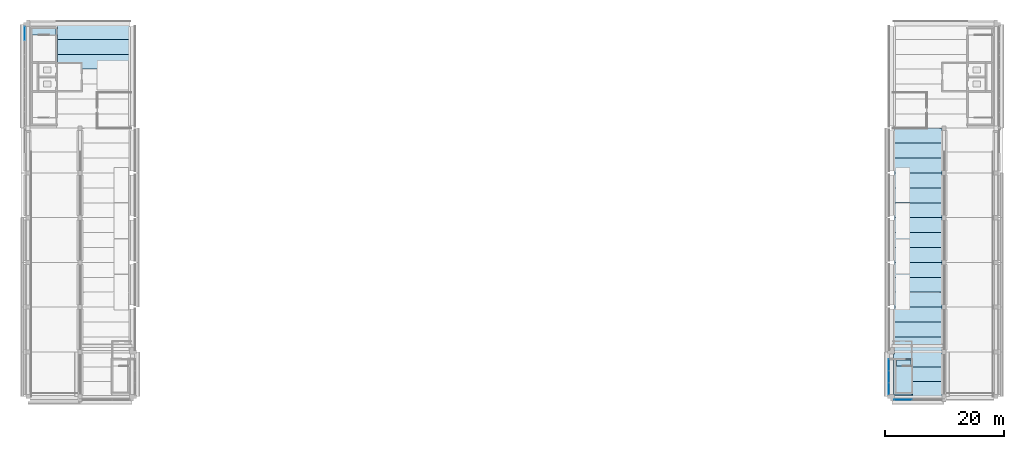
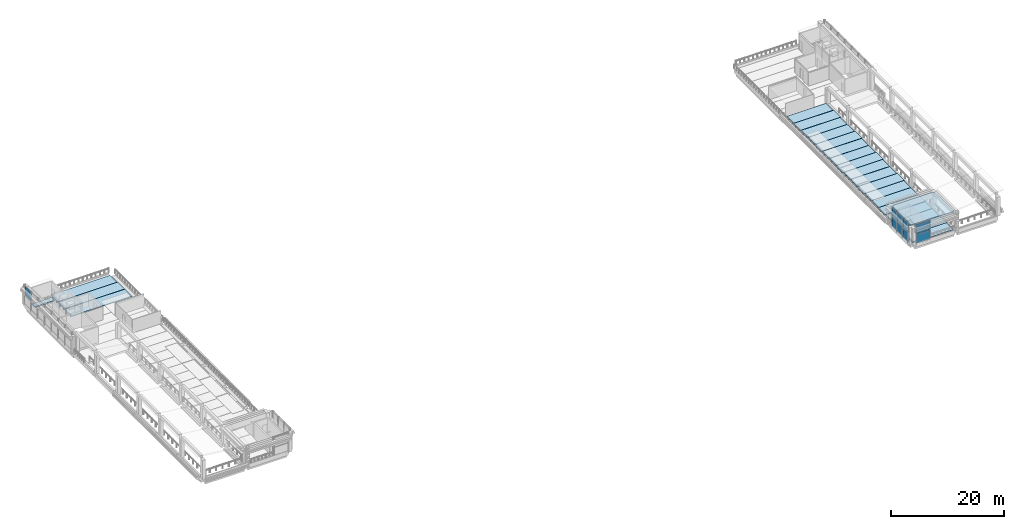
# One storey, part 7 of 17: 25 slabs, 9 plates, 3 elements without a shape of their own.
"""IFC4 building model written with IfcOpenShell, lengths in metres."""

from ifc_helpers import new_model, si_unit, direction, frame, origin, origin_2d, place, context, subcontext, project, spatial, polyline, rectangle, outline, extrude, material, layer, layer_set, material_profile, profile_set, type_object, element, aggregate, save


model = new_model("IFC4")

# Units and contexts
model_context = context("Model", 3, precision=1e-05, world=origin(), true_north=direction((0.0, 1.0)))
body_context = subcontext(model_context, "Body", "Model", "MODEL_VIEW")
ifc_project = project(units=[si_unit("LENGTHUNIT", "METRE"), si_unit("AREAUNIT", "SQUARE_METRE"), si_unit("VOLUMEUNIT", "CUBIC_METRE"), si_unit("PLANEANGLEUNIT", "RADIAN"), si_unit("MASSUNIT", "GRAM", prefix="KILO")], contexts=[model_context])

# Site, building, storey
site_placement = place(None, origin())
site = spatial("IfcSite", under=ifc_project, at=site_placement, CompositionType="ELEMENT")
building_placement = place(site_placement, origin())
building = spatial("IfcBuilding", under=site, at=building_placement, Name="Cour d'Honneur Mobility Palace", CompositionType="ELEMENT")
storey_placement = place(building_placement, frame((0.0, 0.0, 34.10009765625)))
storey = spatial("IfcBuildingStorey", under=building, at=storey_placement, Name="L09", CompositionType="ELEMENT", Elevation=34.10009765625)

# Slabs
ifc_material_1 = material(Name="Concrete C50", Category="concrete")
ifc_layer_1 = layer(ifc_material_1, 0.25)
ifc_layer_set_1 = layer_set([ifc_layer_1], Name="Concrete C50")
slab_type_1 = type_object("IfcSlabType", Name="Cast-in-place Slab 250", PredefinedType="FLOOR", material=ifc_layer_set_1)
slab_1_placement = place(storey_placement, frame((0.0, 0.0, -0.25)))
element("IfcSlab", 1, at=slab_1_placement, inside=storey, type_object=slab_type_1, Name="Cast-in-place slab S1 L09 core", PredefinedType="FLOOR", context=body_context, shape_type="SweptSolid", body=[
    extrude(outline(polyline([(4.675048828125, 61.699951171875), (4.675048828125, 60.625), (0.699951171875, 60.625), (0.699951171875, 61.699951171875), (4.675048828125, 61.699951171875)])), origin(), (0.0, 0.0, 1.0), 0.25),
])
slab_2_placement = place(storey_placement, frame((0.0, 0.0, -0.25)))
element("IfcSlab", 2, at=slab_2_placement, inside=storey, type_object=slab_type_1, Name="Cast-in-place slab S1 L09 stair strip", PredefinedType="FLOOR", context=body_context, shape_type="SweptSolid", body=[
    extrude(outline(polyline([(145.25, 0.35009765625), (145.10009765625, 0.35009765625), (145.10009765625, 7.14990234375), (145.25, 7.14990234375), (145.25, 7.5), (148.199951171875, 7.5), (148.199951171875, 6.425048828125), (145.35009765625, 6.425048828125), (145.35009765625, 0.449951171875), (148.199951171875, 0.449951171875), (148.199951171875, 0.22509765625), (145.25, 0.22509765625), (145.25, 0.35009765625)])), origin(), (0.0, 0.0, 1.0), 0.25),
])
slab_3_placement = place(storey_placement, frame((0.0, 0.0, -0.25)))
element("IfcSlab", 3, at=slab_3_placement, inside=storey, type_object=slab_type_1, Name="Cast-in-place slab S1 L09 stair strip", PredefinedType="FLOOR", context=body_context, shape_type="SweptSolid", body=[
    extrude(outline(polyline([(148.074951171875, 6.175048828125), (148.074951171875, 5.10009765625), (145.60009765625, 5.10009765625), (145.60009765625, 6.175048828125), (148.074951171875, 6.175048828125)])), origin(), (0.0, 0.0, 1.0), 0.25),
])

# Curtain wall, plate
ifc_material_2 = material(Name="Aluminium and glass", Category="aluminium")
ifc_layer_2 = layer(ifc_material_2, 0.10009765625)
ifc_layer_set_2 = layer_set([ifc_layer_2], Name="Aluminium and glass")
curtain_wall_type = type_object("IfcCurtainWallType", Name="Curtain wall run", PredefinedType="NOTDEFINED", material=ifc_layer_set_2)
curtain_wall_1_placement = place(storey_placement, origin())
curtain_wall_1 = element("IfcCurtainWall", 4, at=curtain_wall_1_placement, inside=storey, type_object=curtain_wall_type, Name="Curtain wall CW-112", PredefinedType="NOTDEFINED")
ifc_material_3 = material(Name="Double glazing", Category="glass")
ifc_layer_3 = layer(ifc_material_3, 0.028076171875)
ifc_layer_set_3 = layer_set([ifc_layer_3], Name="Double glazing")
plate_type = type_object("IfcPlateType", Name="Curtain wall panel", PredefinedType="CURTAIN_PANEL", material=ifc_layer_set_3)
plate_1_placement = place(storey_placement, frame((-0.550048828125, 60.885009765625, 2.1298828125), z_axis=(0.0, 0.0, 1.0), x_axis=(0.0, -1.0, 0.0)))
plate_1 = element("IfcPlate", 5, at=plate_1_placement, type_object=plate_type, Name="CW-112 panel 1.2", PredefinedType="CURTAIN_PANEL", context=body_context, shape_type="SweptSolid", body=[
    extrude(rectangle(XDim=2.31005859375, YDim=0.028076171875, at=origin_2d()), origin(), (0.0, 0.0, 1.0), 2.010009765625),
])
aggregate(curtain_wall_1, [plate_1])

# Curtain wall, plates
curtain_wall_2_placement = place(storey_placement, origin())
curtain_wall_2 = element("IfcCurtainWall", 6, at=curtain_wall_2_placement, inside=storey, type_object=curtain_wall_type, Name="Curtain wall CW-151", PredefinedType="NOTDEFINED")
plate_2_placement = place(storey_placement, frame((144.35009765625, 5.284912109375, 0.06005859375), z_axis=(0.0, 0.0, 1.0), x_axis=(0.0, -1.0, 0.0)))
plate_2 = element("IfcPlate", 7, at=plate_2_placement, type_object=plate_type, Name="CW-151 panel 1.1", PredefinedType="CURTAIN_PANEL", context=body_context, shape_type="SweptSolid", body=[
    extrude(rectangle(XDim=1.909912109375, YDim=0.028076171875, at=origin_2d()), origin(), (0.0, 0.0, 1.0), 2.010009765625),
])
plate_3_placement = place(storey_placement, frame((144.35009765625, 5.284912109375, 2.1298828125), z_axis=(0.0, 0.0, 1.0), x_axis=(0.0, -1.0, 0.0)))
plate_3 = element("IfcPlate", 8, at=plate_3_placement, type_object=plate_type, Name="CW-151 panel 1.2", PredefinedType="CURTAIN_PANEL", context=body_context, shape_type="SweptSolid", body=[
    extrude(rectangle(XDim=1.909912109375, YDim=0.028076171875, at=origin_2d()), origin(), (0.0, 0.0, 1.0), 2.010009765625),
])
plate_4_placement = place(storey_placement, frame((144.35009765625, 3.300048828125, 0.06005859375), z_axis=(0.0, 0.0, 1.0), x_axis=(0.0, -1.0, 0.0)))
plate_4 = element("IfcPlate", 9, at=plate_4_placement, type_object=plate_type, Name="CW-151 panel 2.1", PredefinedType="CURTAIN_PANEL", context=body_context, shape_type="SweptSolid", body=[
    extrude(rectangle(XDim=1.93994140625, YDim=0.028076171875, at=origin_2d()), origin(), (0.0, 0.0, 1.0), 2.010009765625),
])
plate_5_placement = place(storey_placement, frame((144.35009765625, 3.300048828125, 2.1298828125), z_axis=(0.0, 0.0, 1.0), x_axis=(0.0, -1.0, 0.0)))
plate_5 = element("IfcPlate", 10, at=plate_5_placement, type_object=plate_type, Name="CW-151 panel 2.2", PredefinedType="CURTAIN_PANEL", context=body_context, shape_type="SweptSolid", body=[
    extrude(rectangle(XDim=1.93994140625, YDim=0.028076171875, at=origin_2d()), origin(), (0.0, 0.0, 1.0), 2.010009765625),
])
plate_6_placement = place(storey_placement, frame((144.35009765625, 1.31494140625, 0.06005859375), z_axis=(0.0, 0.0, 1.0), x_axis=(0.0, -1.0, 0.0)))
plate_6 = element("IfcPlate", 11, at=plate_6_placement, type_object=plate_type, Name="CW-151 panel 3.1", PredefinedType="CURTAIN_PANEL", context=body_context, shape_type="SweptSolid", body=[
    extrude(rectangle(XDim=1.909912109375, YDim=0.028076171875, at=origin_2d()), origin(), (0.0, 0.0, 1.0), 2.010009765625),
])
plate_7_placement = place(storey_placement, frame((144.35009765625, 1.31494140625, 2.1298828125), z_axis=(0.0, 0.0, 1.0), x_axis=(0.0, -1.0, 0.0)))
plate_7 = element("IfcPlate", 12, at=plate_7_placement, type_object=plate_type, Name="CW-151 panel 3.2", PredefinedType="CURTAIN_PANEL", context=body_context, shape_type="SweptSolid", body=[
    extrude(rectangle(XDim=1.909912109375, YDim=0.028076171875, at=origin_2d()), origin(), (0.0, 0.0, 1.0), 2.010009765625),
])
aggregate(curtain_wall_2, [plate_2, plate_3, plate_4, plate_5, plate_6, plate_7])

curtain_wall_3_placement = place(storey_placement, origin())
curtain_wall_3 = element("IfcCurtainWall", 13, at=curtain_wall_3_placement, inside=storey, type_object=curtain_wall_type, Name="Curtain wall CW-152", PredefinedType="NOTDEFINED")
plate_8_placement = place(storey_placement, frame((146.699951171875, -0.550048828125, 0.06005859375), z_axis=(0.0, 0.0, 1.0), x_axis=(1.0, 0.0, 0.0)))
plate_8 = element("IfcPlate", 14, at=plate_8_placement, type_object=plate_type, Name="CW-152 panel 1.1", PredefinedType="CURTAIN_PANEL", context=body_context, shape_type="SweptSolid", body=[
    extrude(rectangle(XDim=2.8798828125, YDim=0.028076171875, at=origin_2d()), origin(), (0.0, 0.0, 1.0), 2.010009765625),
])
plate_9_placement = place(storey_placement, frame((146.699951171875, -0.550048828125, 2.1298828125), z_axis=(0.0, 0.0, 1.0), x_axis=(1.0, 0.0, 0.0)))
plate_9 = element("IfcPlate", 15, at=plate_9_placement, type_object=plate_type, Name="CW-152 panel 1.2", PredefinedType="CURTAIN_PANEL", context=body_context, shape_type="SweptSolid", body=[
    extrude(rectangle(XDim=2.8798828125, YDim=0.028076171875, at=origin_2d()), origin(), (0.0, 0.0, 1.0), 2.010009765625),
])
aggregate(curtain_wall_3, [plate_8, plate_9])

# Slabs
ifc_material_4 = material(Name="Concrete C45", Category="concrete")
ifc_material_profile_1 = material_profile(ifc_material_4, outline(polyline([(-1.2451171875, 0.0), (1.2451171875, 0.0), (1.2451171875, -0.074951171875), (0.659912109375, -0.074951171875), (0.639892578125, -0.39990234375), (0.56005859375, -0.39990234375), (0.5400390625, -0.074951171875), (-0.5400390625, -0.074951171875), (-0.56005859375, -0.39990234375), (-0.639892578125, -0.39990234375), (-0.659912109375, -0.074951171875), (-1.2451171875, -0.074951171875), (-1.2451171875, 0.0)])), Name="DT 2490x400")
ifc_profile_set_1 = profile_set([ifc_material_profile_1], Name="Concrete C45")
slab_type_2 = type_object("IfcSlabType", Name="DT 2490x400", PredefinedType="FLOOR", material=ifc_profile_set_1)
slab_4_placement = place(storey_placement, frame((148.324951171875, 1.25, 0.0), z_axis=(1.0, 0.0, 0.0), x_axis=(0.0, 1.0, 0.0)))
element("IfcSlab", 16, at=slab_4_placement, inside=storey, type_object=slab_type_2, Name="Double tee DT-SE1 L09", PredefinedType="FLOOR", context=body_context, shape_type="SweptSolid", body=[
    extrude(outline(polyline([(-1.2451171875, 0.0), (1.2451171875, 0.0), (1.2451171875, -0.074951171875), (0.659912109375, -0.074951171875), (0.639892578125, -0.39990234375), (0.56005859375, -0.39990234375), (0.5400390625, -0.074951171875), (-0.5400390625, -0.074951171875), (-0.56005859375, -0.39990234375), (-0.639892578125, -0.39990234375), (-0.659912109375, -0.074951171875), (-1.2451171875, -0.074951171875), (-1.2451171875, 0.0)])), origin(), (0.0, 0.0, 1.0), 4.925048828125),
])
slab_5_placement = place(storey_placement, frame((148.324951171875, 3.75, 0.0), z_axis=(1.0, 0.0, 0.0), x_axis=(0.0, 1.0, 0.0)))
element("IfcSlab", 17, at=slab_5_placement, inside=storey, type_object=slab_type_2, Name="Double tee DT-SE2 L09", PredefinedType="FLOOR", context=body_context, shape_type="SweptSolid", body=[
    extrude(outline(polyline([(-1.2451171875, 0.0), (1.2451171875, 0.0), (1.2451171875, -0.074951171875), (0.659912109375, -0.074951171875), (0.639892578125, -0.39990234375), (0.56005859375, -0.39990234375), (0.5400390625, -0.074951171875), (-0.5400390625, -0.074951171875), (-0.56005859375, -0.39990234375), (-0.639892578125, -0.39990234375), (-0.659912109375, -0.074951171875), (-1.2451171875, -0.074951171875), (-1.2451171875, 0.0)])), origin(), (0.0, 0.0, 1.0), 5.074951171875),
])
slab_6_placement = place(storey_placement, frame((148.199951171875, 6.25, 0.0), z_axis=(1.0, 0.0, 0.0), x_axis=(0.0, 1.0, 0.0)))
element("IfcSlab", 18, at=slab_6_placement, inside=storey, type_object=slab_type_2, Name="Double tee DT-SE3 L09", PredefinedType="FLOOR", context=body_context, shape_type="SweptSolid", body=[
    extrude(outline(polyline([(-1.2451171875, 0.0), (1.2451171875, 0.0), (1.2451171875, -0.074951171875), (0.659912109375, -0.074951171875), (0.639892578125, -0.39990234375), (0.56005859375, -0.39990234375), (0.5400390625, -0.074951171875), (-0.5400390625, -0.074951171875), (-0.56005859375, -0.39990234375), (-0.639892578125, -0.39990234375), (-0.659912109375, -0.074951171875), (-1.2451171875, -0.074951171875), (-1.2451171875, 0.0)])), origin(), (0.0, 0.0, 1.0), 5.050048828125),
])
ifc_material_5 = material(Name="Concrete C45", Category="concrete")
ifc_material_profile_2 = material_profile(ifc_material_5, outline(polyline([(-1.2451171875, 0.0), (1.2451171875, 0.0), (1.2451171875, -0.10009765625), (0.669921875, -0.10009765625), (0.64501953125, -0.5), (0.554931640625, -0.5), (0.530029296875, -0.10009765625), (-0.530029296875, -0.10009765625), (-0.554931640625, -0.5), (-0.64501953125, -0.5), (-0.669921875, -0.10009765625), (-1.2451171875, -0.10009765625), (-1.2451171875, 0.0)])), Name="DT 2490x500")
ifc_profile_set_2 = profile_set([ifc_material_profile_2], Name="Concrete C45")
slab_type_3 = type_object("IfcSlabType", Name="DT 2490x500", PredefinedType="FLOOR", material=ifc_profile_set_2)
slab_7_placement = place(storey_placement, frame((145.25, 8.75, 0.0), z_axis=(1.0, 0.0, 0.0), x_axis=(0.0, 1.0, 0.0)))
element("IfcSlab", 19, at=slab_7_placement, inside=storey, type_object=slab_type_3, Name="Double tee DT-SE4 L09", PredefinedType="FLOOR", context=body_context, shape_type="SweptSolid", body=[
    extrude(outline(polyline([(-1.2451171875, 0.0), (1.2451171875, 0.0), (1.2451171875, -0.10009765625), (0.669921875, -0.10009765625), (0.64501953125, -0.5), (0.554931640625, -0.5), (0.530029296875, -0.10009765625), (-0.530029296875, -0.10009765625), (-0.554931640625, -0.5), (-0.64501953125, -0.5), (-0.669921875, -0.10009765625), (-1.2451171875, -0.10009765625), (-1.2451171875, 0.0)])), origin(), (0.0, 0.0, 1.0), 8.0),
])
slab_8_placement = place(storey_placement, frame((145.10009765625, 11.25, 0.0), z_axis=(1.0, 0.0, 0.0), x_axis=(0.0, 1.0, 0.0)))
element("IfcSlab", 20, at=slab_8_placement, inside=storey, type_object=slab_type_3, Name="Double tee DT-SE5 L09", PredefinedType="FLOOR", context=body_context, shape_type="SweptSolid", body=[
    extrude(outline(polyline([(-1.2451171875, 0.0), (1.2451171875, 0.0), (1.2451171875, -0.10009765625), (0.669921875, -0.10009765625), (0.64501953125, -0.5), (0.554931640625, -0.5), (0.530029296875, -0.10009765625), (-0.530029296875, -0.10009765625), (-0.554931640625, -0.5), (-0.64501953125, -0.5), (-0.669921875, -0.10009765625), (-1.2451171875, -0.10009765625), (-1.2451171875, 0.0)])), origin(), (0.0, 0.0, 1.0), 8.2998046875),
])
for number, where, z_axis, x_axis, name in (
    (21, (145.25, 13.75, 0.0), (1.0, 0.0, 0.0), (0.0, 1.0, 0.0), "Double tee DT-SE6 L09"),
    (22, (145.25, 16.25, 0.0), (1.0, 0.0, 0.0), (0.0, 1.0, 0.0), "Double tee DT-SE7 L09"),
):
    element("IfcSlab", number, at=place(storey_placement, frame(where, z_axis=z_axis, x_axis=x_axis)), inside=storey, type_object=slab_type_3, Name=name, PredefinedType="FLOOR", context=body_context, shape_type="SweptSolid", body=[
        extrude(outline(polyline([(-1.2451171875, 0.0), (1.2451171875, 0.0), (1.2451171875, -0.10009765625), (0.669921875, -0.10009765625), (0.64501953125, -0.5), (0.554931640625, -0.5), (0.530029296875, -0.10009765625), (-0.530029296875, -0.10009765625), (-0.554931640625, -0.5), (-0.64501953125, -0.5), (-0.669921875, -0.10009765625), (-1.2451171875, -0.10009765625), (-1.2451171875, 0.0)])), origin(), (0.0, 0.0, 1.0), 8.0),
    ])
slab_9_placement = place(storey_placement, frame((145.10009765625, 18.75, 0.0), z_axis=(1.0, 0.0, 0.0), x_axis=(0.0, 1.0, 0.0)))
element("IfcSlab", 23, at=slab_9_placement, inside=storey, type_object=slab_type_3, Name="Double tee DT-SE8 L09", PredefinedType="FLOOR", context=body_context, shape_type="SweptSolid", body=[
    extrude(outline(polyline([(-1.2451171875, 0.0), (1.2451171875, 0.0), (1.2451171875, -0.10009765625), (0.669921875, -0.10009765625), (0.64501953125, -0.5), (0.554931640625, -0.5), (0.530029296875, -0.10009765625), (-0.530029296875, -0.10009765625), (-0.554931640625, -0.5), (-0.64501953125, -0.5), (-0.669921875, -0.10009765625), (-1.2451171875, -0.10009765625), (-1.2451171875, 0.0)])), origin(), (0.0, 0.0, 1.0), 8.2998046875),
])
for number, where, z_axis, x_axis, name in (
    (24, (145.25, 21.25, 0.0), (1.0, 0.0, 0.0), (0.0, 1.0, 0.0), "Double tee DT-SE9 L09"),
    (25, (145.25, 23.75, 0.0), (1.0, 0.0, 0.0), (0.0, 1.0, 0.0), "Double tee DT-SE10 L09"),
):
    element("IfcSlab", number, at=place(storey_placement, frame(where, z_axis=z_axis, x_axis=x_axis)), inside=storey, type_object=slab_type_3, Name=name, PredefinedType="FLOOR", context=body_context, shape_type="SweptSolid", body=[
        extrude(outline(polyline([(-1.2451171875, 0.0), (1.2451171875, 0.0), (1.2451171875, -0.10009765625), (0.669921875, -0.10009765625), (0.64501953125, -0.5), (0.554931640625, -0.5), (0.530029296875, -0.10009765625), (-0.530029296875, -0.10009765625), (-0.554931640625, -0.5), (-0.64501953125, -0.5), (-0.669921875, -0.10009765625), (-1.2451171875, -0.10009765625), (-1.2451171875, 0.0)])), origin(), (0.0, 0.0, 1.0), 8.0),
    ])
slab_10_placement = place(storey_placement, frame((145.10009765625, 26.25, 0.0), z_axis=(1.0, 0.0, 0.0), x_axis=(0.0, 1.0, 0.0)))
element("IfcSlab", 26, at=slab_10_placement, inside=storey, type_object=slab_type_3, Name="Double tee DT-SE11 L09", PredefinedType="FLOOR", context=body_context, shape_type="SweptSolid", body=[
    extrude(outline(polyline([(-1.2451171875, 0.0), (1.2451171875, 0.0), (1.2451171875, -0.10009765625), (0.669921875, -0.10009765625), (0.64501953125, -0.5), (0.554931640625, -0.5), (0.530029296875, -0.10009765625), (-0.530029296875, -0.10009765625), (-0.554931640625, -0.5), (-0.64501953125, -0.5), (-0.669921875, -0.10009765625), (-1.2451171875, -0.10009765625), (-1.2451171875, 0.0)])), origin(), (0.0, 0.0, 1.0), 8.2998046875),
])
for number, where, z_axis, x_axis, name in (
    (27, (145.25, 28.75, 0.0), (1.0, 0.0, 0.0), (0.0, 1.0, 0.0), "Double tee DT-SE12 L09"),
    (28, (145.25, 31.25, 0.0), (1.0, 0.0, 0.0), (0.0, 1.0, 0.0), "Double tee DT-SE13 L09"),
):
    element("IfcSlab", number, at=place(storey_placement, frame(where, z_axis=z_axis, x_axis=x_axis)), inside=storey, type_object=slab_type_3, Name=name, PredefinedType="FLOOR", context=body_context, shape_type="SweptSolid", body=[
        extrude(outline(polyline([(-1.2451171875, 0.0), (1.2451171875, 0.0), (1.2451171875, -0.10009765625), (0.669921875, -0.10009765625), (0.64501953125, -0.5), (0.554931640625, -0.5), (0.530029296875, -0.10009765625), (-0.530029296875, -0.10009765625), (-0.554931640625, -0.5), (-0.64501953125, -0.5), (-0.669921875, -0.10009765625), (-1.2451171875, -0.10009765625), (-1.2451171875, 0.0)])), origin(), (0.0, 0.0, 1.0), 8.0),
    ])
slab_11_placement = place(storey_placement, frame((145.10009765625, 33.75, 0.0), z_axis=(1.0, 0.0, 0.0), x_axis=(0.0, 1.0, 0.0)))
element("IfcSlab", 29, at=slab_11_placement, inside=storey, type_object=slab_type_3, Name="Double tee DT-SE14 L09", PredefinedType="FLOOR", context=body_context, shape_type="SweptSolid", body=[
    extrude(outline(polyline([(-1.2451171875, 0.0), (1.2451171875, 0.0), (1.2451171875, -0.10009765625), (0.669921875, -0.10009765625), (0.64501953125, -0.5), (0.554931640625, -0.5), (0.530029296875, -0.10009765625), (-0.530029296875, -0.10009765625), (-0.554931640625, -0.5), (-0.64501953125, -0.5), (-0.669921875, -0.10009765625), (-1.2451171875, -0.10009765625), (-1.2451171875, 0.0)])), origin(), (0.0, 0.0, 1.0), 8.2998046875),
])
for number, where, z_axis, x_axis, name in (
    (30, (145.25, 36.25, 0.0), (1.0, 0.0, 0.0), (0.0, 1.0, 0.0), "Double tee DT-SE15 L09"),
    (31, (145.25, 38.75, 0.0), (1.0, 0.0, 0.0), (0.0, 1.0, 0.0), "Double tee DT-SE16 L09"),
):
    element("IfcSlab", number, at=place(storey_placement, frame(where, z_axis=z_axis, x_axis=x_axis)), inside=storey, type_object=slab_type_3, Name=name, PredefinedType="FLOOR", context=body_context, shape_type="SweptSolid", body=[
        extrude(outline(polyline([(-1.2451171875, 0.0), (1.2451171875, 0.0), (1.2451171875, -0.10009765625), (0.669921875, -0.10009765625), (0.64501953125, -0.5), (0.554931640625, -0.5), (0.530029296875, -0.10009765625), (-0.530029296875, -0.10009765625), (-0.554931640625, -0.5), (-0.64501953125, -0.5), (-0.669921875, -0.10009765625), (-1.2451171875, -0.10009765625), (-1.2451171875, 0.0)])), origin(), (0.0, 0.0, 1.0), 8.0),
    ])
slab_12_placement = place(storey_placement, frame((145.10009765625, 41.25, 0.0), z_axis=(1.0, 0.0, 0.0), x_axis=(0.0, 1.0, 0.0)))
element("IfcSlab", 32, at=slab_12_placement, inside=storey, type_object=slab_type_3, Name="Double tee DT-SE17 L09", PredefinedType="FLOOR", context=body_context, shape_type="SweptSolid", body=[
    extrude(outline(polyline([(-1.2451171875, 0.0), (1.2451171875, 0.0), (1.2451171875, -0.10009765625), (0.669921875, -0.10009765625), (0.64501953125, -0.5), (0.554931640625, -0.5), (0.530029296875, -0.10009765625), (-0.530029296875, -0.10009765625), (-0.554931640625, -0.5), (-0.64501953125, -0.5), (-0.669921875, -0.10009765625), (-1.2451171875, -0.10009765625), (-1.2451171875, 0.0)])), origin(), (0.0, 0.0, 1.0), 8.2998046875),
])
slab_13_placement = place(storey_placement, frame((145.25, 43.75, 0.0), z_axis=(1.0, 0.0, 0.0), x_axis=(0.0, 1.0, 0.0)))
element("IfcSlab", 33, at=slab_13_placement, inside=storey, type_object=slab_type_3, Name="Double tee DT-SE18 L09", PredefinedType="FLOOR", context=body_context, shape_type="SweptSolid", body=[
    extrude(outline(polyline([(-1.2451171875, 0.0), (1.2451171875, 0.0), (1.2451171875, -0.10009765625), (0.669921875, -0.10009765625), (0.64501953125, -0.5), (0.554931640625, -0.5), (0.530029296875, -0.10009765625), (-0.530029296875, -0.10009765625), (-0.554931640625, -0.5), (-0.64501953125, -0.5), (-0.669921875, -0.10009765625), (-1.2451171875, -0.10009765625), (-1.2451171875, 0.0)])), origin(), (0.0, 0.0, 1.0), 8.0),
])
ifc_material_6 = material(Name="Concrete C45", Category="concrete")
ifc_material_profile_3 = material_profile(ifc_material_6, outline(polyline([(-1.2451171875, 0.0), (1.2451171875, 0.0), (1.2451171875, -0.10009765625), (0.679931640625, -0.10009765625), (0.64990234375, -0.64990234375), (0.550048828125, -0.64990234375), (0.52001953125, -0.10009765625), (-0.52001953125, -0.10009765625), (-0.550048828125, -0.64990234375), (-0.64990234375, -0.64990234375), (-0.679931640625, -0.10009765625), (-1.2451171875, -0.10009765625), (-1.2451171875, 0.0)])), Name="DT 2490x650")
ifc_profile_set_3 = profile_set([ifc_material_profile_3], Name="Concrete C45")
slab_type_4 = type_object("IfcSlabType", Name="DT 2490x650", PredefinedType="FLOOR", material=ifc_profile_set_3)
for number, where, z_axis, x_axis, name in (
    (34, (4.925048828125, 56.14990234375, 0.0), (1.0, 0.0, 0.0), (0.0, 1.0, 0.0), "Double tee DT-JW4 L09"),
    (35, (4.925048828125, 58.64990234375, 0.0), (1.0, 0.0, 0.0), (0.0, 1.0, 0.0), "Double tee DT-JW5 L09"),
):
    element("IfcSlab", number, at=place(storey_placement, frame(where, z_axis=z_axis, x_axis=x_axis)), inside=storey, type_object=slab_type_4, Name=name, PredefinedType="FLOOR", context=body_context, shape_type="SweptSolid", body=[
        extrude(outline(polyline([(-1.2451171875, 0.0), (1.2451171875, 0.0), (1.2451171875, -0.10009765625), (0.679931640625, -0.10009765625), (0.64990234375, -0.64990234375), (0.550048828125, -0.64990234375), (0.52001953125, -0.10009765625), (-0.52001953125, -0.10009765625), (-0.550048828125, -0.64990234375), (-0.64990234375, -0.64990234375), (-0.679931640625, -0.10009765625), (-1.2451171875, -0.10009765625), (-1.2451171875, 0.0)])), origin(), (0.0, 0.0, 1.0), 12.224853515625),
    ])
slab_14_placement = place(storey_placement, frame((4.925048828125, 61.14990234375, 0.0), z_axis=(1.0, 0.0, 0.0), x_axis=(0.0, 1.0, 0.0)))
element("IfcSlab", 36, at=slab_14_placement, inside=storey, type_object=slab_type_4, Name="Double tee DT-JW6 L09", PredefinedType="FLOOR", context=body_context, shape_type="SweptSolid", body=[
    extrude(outline(polyline([(-1.2451171875, 0.0), (1.2451171875, 0.0), (1.2451171875, -0.10009765625), (0.679931640625, -0.10009765625), (0.64990234375, -0.64990234375), (0.550048828125, -0.64990234375), (0.52001953125, -0.10009765625), (-0.52001953125, -0.10009765625), (-0.550048828125, -0.64990234375), (-0.64990234375, -0.64990234375), (-0.679931640625, -0.10009765625), (-1.2451171875, -0.10009765625), (-1.2451171875, 0.0)])), origin(), (0.0, 0.0, 1.0), 12.125),
])
ifc_material_7 = material(Name="Concrete C50", Category="concrete")
ifc_layer_4 = layer(ifc_material_7, 0.35009765625)
ifc_layer_set_4 = layer_set([ifc_layer_4], Name="Concrete C50")
slab_type_5 = type_object("IfcSlabType", Name="Roof Slab 350", PredefinedType="ROOF", material=ifc_layer_set_4)
slab_15_placement = place(storey_placement, frame((0.0, 0.0, 3.349853515625)))
element("IfcSlab", 37, at=slab_15_placement, inside=storey, type_object=slab_type_5, Name="Pavilion roof slab SEP", PredefinedType="ROOF", context=body_context, shape_type="SweptSolid", body=[
    extrude(outline(polyline([(153.25, 0.35009765625), (153.25, 0.22509765625), (145.25, 0.22509765625), (145.25, 0.35009765625), (144.89990234375, 0.35009765625), (144.89990234375, 7.14990234375), (145.25, 7.14990234375), (145.25, 7.27490234375), (153.25, 7.27490234375), (153.25, 7.14990234375), (153.60009765625, 7.14990234375), (153.60009765625, 0.35009765625), (153.25, 0.35009765625)])), origin(), (0.0, 0.0, 1.0), 0.35009765625),
])

save(model, "model.ifc")
